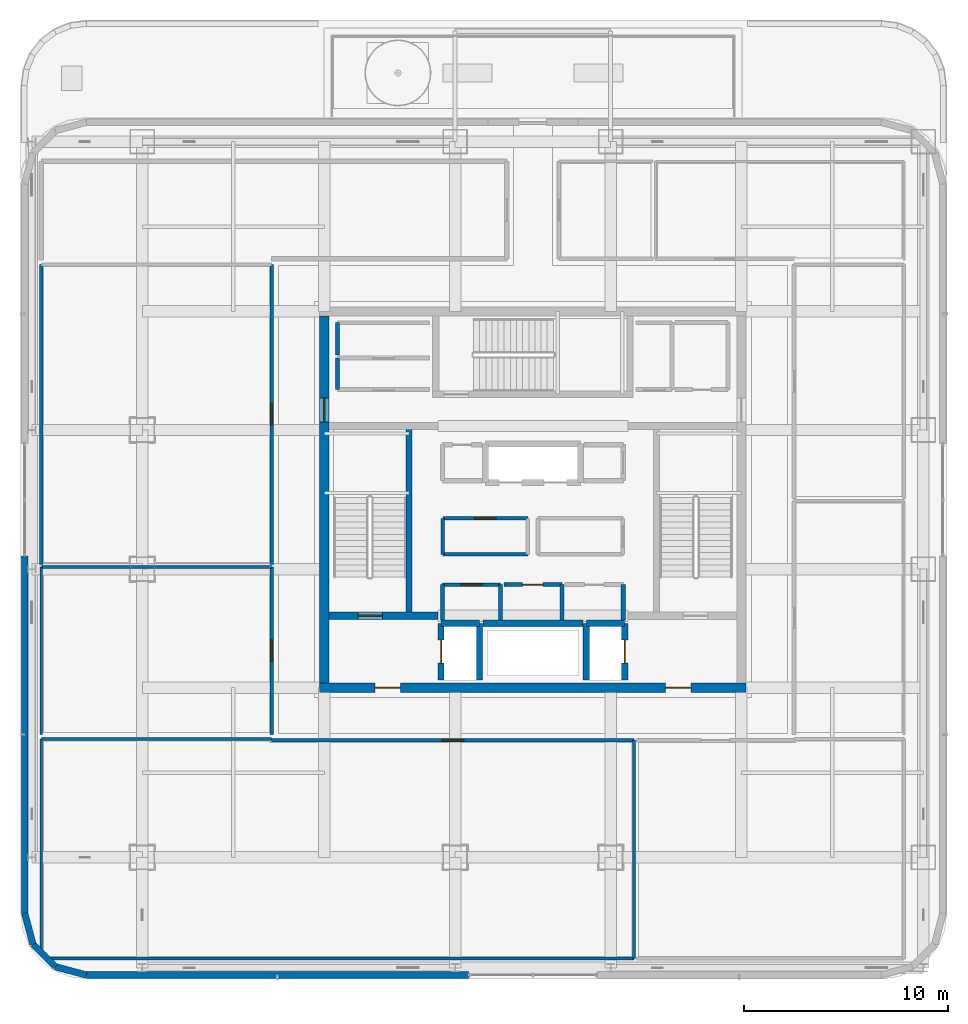
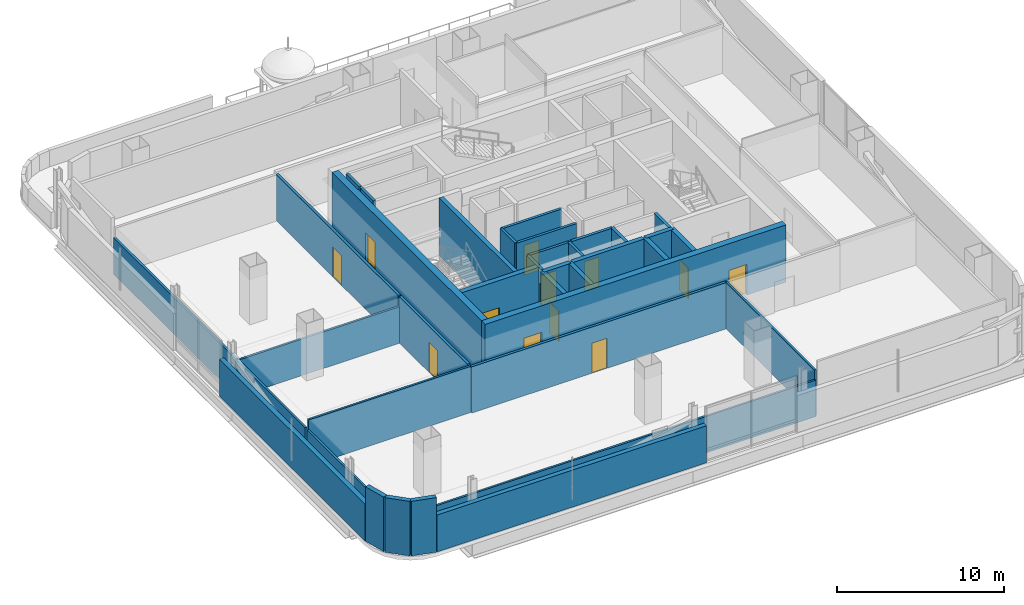
# One storey, part 12 of 28: 37 walls, 12 doors, 12 openings.
"""IFC4 building model written with IfcOpenShell, lengths in metres."""

from ifc_helpers import new_model, si_unit, direction, frame, frame_2d, origin, place, context, subcontext, project, spatial, rectangle, extrude, material, layer, layer_set, type_object, element, fill, save


model = new_model("IFC4")

# Units and contexts
model_context = context("Model", 3, precision=1e-05, world=origin(), true_north=direction((0.0, 1.0)))
body_context = subcontext(model_context, "Body", "Model", "MODEL_VIEW")
ifc_project = project(units=[si_unit("LENGTHUNIT", "METRE"), si_unit("AREAUNIT", "SQUARE_METRE"), si_unit("VOLUMEUNIT", "CUBIC_METRE"), si_unit("PLANEANGLEUNIT", "RADIAN"), si_unit("MASSUNIT", "GRAM", prefix="KILO")], contexts=[model_context])

# Site, building, storey
site_placement = place(None, origin())
site = spatial("IfcSite", under=ifc_project, at=site_placement, CompositionType="ELEMENT")
building_placement = place(site_placement, origin())
building = spatial("IfcBuilding", under=site, at=building_placement, Name="Punatoya Terracotta Tower", CompositionType="ELEMENT")
storey_placement = place(building_placement, frame((0.0, 0.0, 317.39990234375)))
storey = spatial("IfcBuildingStorey", under=building, at=storey_placement, Name="L75", CompositionType="ELEMENT", Elevation=317.39990234375)

# Wall, openings, doors
ifc_material_1 = material(Name="Concrete C50/60", Category="concrete")
ifc_layer_1 = layer(ifc_material_1, 0.449951171875)
ifc_layer_set_1 = layer_set([ifc_layer_1], Name="Concrete C50/60")
wall_type_1 = type_object("IfcWallType", Name="WL-COR-450", PredefinedType="SHEAR", material=ifc_layer_set_1)
wall_1_placement = place(storey_placement, frame((10.425048828125, -9.199951171875, 0.0), z_axis=(0.0, 0.0, 1.0), x_axis=(-1.0, 0.0, 0.0)))
wall_1 = element("IfcWall", 1, at=wall_1_placement, inside=storey, type_object=wall_type_1, Name="L75 Core Shear Wall S", PredefinedType="SHEAR", context=body_context, shape_type="SweptSolid", body=[
    extrude(rectangle(XDim=20.85009765625, YDim=0.449951171875, at=frame_2d((10.425048828125, 0.0))), origin(), (0.0, 0.0, 1.0), 4.2001953125),
])
opening_1_placement = place(wall_1_placement, frame((2.699951171875, 0.0, 0.0)))
opening_1 = element("IfcOpeningElement", 2, at=opening_1_placement, cuts=wall_1, Name="Opening FD-L1", PredefinedType="OPENING", context=body_context, shape_type="SweptSolid", body=[
    extrude(rectangle(XDim=1.25, YDim=2.25, at=frame_2d((0.625, 1.125))), frame((0.0, 0.23486328125, 0.0), z_axis=(0.0, -1.0, 0.0), x_axis=(1.0, 0.0, 0.0)), (0.0, 0.0, 1.0), 0.469970703125),
])
opening_2_placement = place(wall_1_placement, frame((16.89990234375, 0.0, 0.0)))
opening_2 = element("IfcOpeningElement", 3, at=opening_2_placement, cuts=wall_1, Name="Opening FD-L1", PredefinedType="OPENING", context=body_context, shape_type="SweptSolid", body=[
    extrude(rectangle(XDim=1.25, YDim=2.25, at=frame_2d((0.625, 1.125))), frame((0.0, 0.23486328125, 0.0), z_axis=(0.0, -1.0, 0.0), x_axis=(1.0, 0.0, 0.0)), (0.0, 0.0, 1.0), 0.469970703125),
])
ifc_material_2 = material(Name="Galvanised Steel Smokeproof Fire Door", Category="steel")
door_type_1 = type_object("IfcDoorType", Name="DR-FFL-1250", OperationType="NOTDEFINED", PredefinedType="DOOR", material=ifc_material_2)
door_1_placement = place(opening_1_placement, origin())
door_1 = element("IfcDoor", 4, at=door_1_placement, inside=storey, type_object=door_type_1, Name="L75 East Firefighting Lobby Corridor Fire Door", OperationType="SINGLE_SWING_LEFT", OverallHeight=2.25, OverallWidth=1.25, PredefinedType="DOOR", context=body_context, shape_type="SweptSolid", body=[
    extrude(rectangle(XDim=1.25, YDim=2.25, at=frame_2d((0.625, 1.125))), frame((0.0, 0.02490234375, 0.0), z_axis=(0.0, -1.0, 0.0), x_axis=(1.0, 0.0, 0.0)), (0.0, 0.0, 1.0), 0.050048828125),
])
fill(opening_1, door_1)
door_2_placement = place(opening_2_placement, origin())
door_2 = element("IfcDoor", 5, at=door_2_placement, inside=storey, type_object=door_type_1, Name="L75 West Firefighting Lobby Corridor Fire Door", OperationType="SINGLE_SWING_RIGHT", OverallHeight=2.25, OverallWidth=1.25, PredefinedType="DOOR", context=body_context, shape_type="SweptSolid", body=[
    extrude(rectangle(XDim=1.25, YDim=2.25, at=frame_2d((0.625, 1.125))), frame((0.0, 0.02490234375, 0.0), z_axis=(0.0, -1.0, 0.0), x_axis=(1.0, 0.0, 0.0)), (0.0, 0.0, 1.0), 0.050048828125),
])
fill(opening_2, door_2)

# Wall, opening, door
wall_2_placement = place(storey_placement, frame((-10.199951171875, -8.97509765625, 0.0), z_axis=(0.0, 0.0, 1.0), x_axis=(0.0, 1.0, 0.0)))
wall_2 = element("IfcWall", 6, at=wall_2_placement, inside=storey, type_object=wall_type_1, Name="L75 Core Shear Wall W", PredefinedType="SHEAR", context=body_context, shape_type="SweptSolid", body=[
    extrude(rectangle(XDim=17.9501953125, YDim=0.449951171875, at=frame_2d((8.97509765625, 0.0))), origin(), (0.0, 0.0, 1.0), 4.2001953125),
])
opening_3_placement = place(wall_2_placement, frame((12.764892578125, 0.0, 0.0)))
opening_3 = element("IfcOpeningElement", 7, at=opening_3_placement, cuts=wall_2, Name="Opening SD-01", PredefinedType="OPENING", context=body_context, shape_type="SweptSolid", body=[
    extrude(rectangle(XDim=1.179931640625, YDim=2.199951171875, at=frame_2d((0.58984375, 1.10009765625))), frame((0.0, 0.23486328125, 0.0), z_axis=(0.0, -1.0, 0.0), x_axis=(1.0, 0.0, 0.0)), (0.0, 0.0, 1.0), 0.469970703125),
])
ifc_material_3 = material(Name="Galvanised Steel Pressurized Stair Fire Door", Category="steel")
door_type_2 = type_object("IfcDoorType", Name="DR-STR-1180", OperationType="NOTDEFINED", PredefinedType="DOOR", material=ifc_material_3)
door_3_placement = place(opening_3_placement, origin())
door_3 = element("IfcDoor", 8, at=door_3_placement, inside=storey, type_object=door_type_2, Name="L75 Central Lift Lobby West Fire Door", OperationType="SINGLE_SWING_LEFT", OverallHeight=2.199951171875, OverallWidth=1.179931640625, PredefinedType="DOOR", context=body_context, shape_type="SweptSolid", body=[
    extrude(rectangle(XDim=1.179931640625, YDim=2.199951171875, at=frame_2d((0.58984375, 1.10009765625))), frame((0.0, 0.02490234375, 0.0), z_axis=(0.0, -1.0, 0.0), x_axis=(1.0, 0.0, 0.0)), (0.0, 0.0, 1.0), 0.050048828125),
])
fill(opening_3, door_3)

# Wall
ifc_material_4 = material(Name="Gypsum Fireboard + Steel Stud", Category="steel")
ifc_layer_2 = layer(ifc_material_4, 0.179931640625)
ifc_layer_set_2 = layer_set([ifc_layer_2], Name="Gypsum Fireboard + Steel Stud")
wall_type_2 = type_object("IfcWallType", Name="WL-CORR-180", PredefinedType="PARTITIONING", material=ifc_layer_set_2)
wall_3_placement = place(storey_placement, frame((-1.580078125, -5.89990234375, 0.0), z_axis=(0.0, 0.0, 1.0), x_axis=(0.0, 1.0, 0.0)))
element("IfcWall", 9, at=wall_3_placement, inside=storey, type_object=wall_type_2, Name="L75 Core Quiet Wellness Room Partition 01", PredefinedType="PARTITIONING", context=body_context, shape_type="SweptSolid", body=[
    extrude(rectangle(XDim=1.739990234375, YDim=0.179931640625, at=frame_2d((0.8701171875, 0.0))), origin(), (0.0, 0.0, 1.0), 4.0),
])

# Wall, opening, door
wall_4_placement = place(storey_placement, frame((-1.580078125, -4.159912109375, 0.0), z_axis=(0.0, 0.0, 1.0), x_axis=(-1.0, 0.0, 0.0)))
wall_4 = element("IfcWall", 10, at=wall_4_placement, inside=storey, type_object=wall_type_2, Name="L75 Core Quiet Wellness Room Partition 02", PredefinedType="PARTITIONING", context=body_context, shape_type="SweptSolid", body=[
    extrude(rectangle(XDim=2.83984375, YDim=0.179931640625, at=frame_2d((1.419921875, 0.0))), origin(), (0.0, 0.0, 1.0), 4.0),
])
opening_4_placement = place(wall_4_placement, frame((0.89501953125, 0.0, 0.0)))
opening_4 = element("IfcOpeningElement", 11, at=opening_4_placement, cuts=wall_4, Name="Opening OD-01", PredefinedType="OPENING", context=body_context, shape_type="SweptSolid", body=[
    extrude(rectangle(XDim=1.050048828125, YDim=2.199951171875, at=frame_2d((0.52490234375, 1.10009765625))), frame((0.0, 0.099853515625, 0.0), z_axis=(0.0, -1.0, 0.0), x_axis=(1.0, 0.0, 0.0)), (0.0, 0.0, 1.0), 0.199951171875),
])
ifc_material_5 = material(Name="Bengal Teak Solid-Core Leaf")
door_type_3 = type_object("IfcDoorType", Name="DR-OFF-1050", OperationType="NOTDEFINED", PredefinedType="DOOR", material=ifc_material_5)
door_4_placement = place(opening_4_placement, origin())
door_4 = element("IfcDoor", 12, at=door_4_placement, inside=storey, type_object=door_type_3, Name="L75 Quiet Wellness Room Door", OperationType="SINGLE_SWING_LEFT", OverallHeight=2.199951171875, OverallWidth=1.050048828125, PredefinedType="DOOR", context=body_context, shape_type="SweptSolid", body=[
    extrude(rectangle(XDim=1.050048828125, YDim=2.199951171875, at=frame_2d((0.52490234375, 1.10009765625))), frame((0.0, 0.02490234375, 0.0), z_axis=(0.0, -1.0, 0.0), x_axis=(1.0, 0.0, 0.0)), (0.0, 0.0, 1.0), 0.050048828125),
])
fill(opening_4, door_4)

# Wall
wall_5_placement = place(storey_placement, frame((-4.419921875, -4.159912109375, 0.0), z_axis=(0.0, 0.0, 1.0), x_axis=(0.0, -1.0, 0.0)))
element("IfcWall", 13, at=wall_5_placement, inside=storey, type_object=wall_type_2, Name="L75 Core Quiet Wellness Room Partition 03", PredefinedType="PARTITIONING", context=body_context, shape_type="SweptSolid", body=[
    extrude(rectangle(XDim=1.739990234375, YDim=0.179931640625, at=frame_2d((0.8701171875, 0.0))), origin(), (0.0, 0.0, 1.0), 4.0),
])

# Wall, opening, door
wall_6_placement = place(storey_placement, frame((-0.25, -0.919921875, 0.0), z_axis=(0.0, 0.0, 1.0), x_axis=(-1.0, 0.0, 0.0)))
wall_6 = element("IfcWall", 14, at=wall_6_placement, inside=storey, type_object=wall_type_2, Name="L75 West Core Focus Pod Partition 09", PredefinedType="PARTITIONING", context=body_context, shape_type="SweptSolid", body=[
    extrude(rectangle(XDim=4.14990234375, YDim=0.179931640625, at=frame_2d((2.074951171875, 0.0))), origin(), (0.0, 0.0, 1.0), 4.0),
])
opening_5_placement = place(wall_6_placement, frame((1.550048828125, 0.0, 0.0)))
opening_5 = element("IfcOpeningElement", 15, at=opening_5_placement, cuts=wall_6, Name="Opening OD-01", PredefinedType="OPENING", context=body_context, shape_type="SweptSolid", body=[
    extrude(rectangle(XDim=1.050048828125, YDim=2.199951171875, at=frame_2d((0.52490234375, 1.10009765625))), frame((0.0, 0.099853515625, 0.0), z_axis=(0.0, -1.0, 0.0), x_axis=(1.0, 0.0, 0.0)), (0.0, 0.0, 1.0), 0.199951171875),
])
door_5_placement = place(opening_5_placement, origin())
door_5 = element("IfcDoor", 16, at=door_5_placement, inside=storey, type_object=door_type_3, Name="L75 West Focus Pod Door", OperationType="SINGLE_SWING_RIGHT", OverallHeight=2.199951171875, OverallWidth=1.050048828125, PredefinedType="DOOR", context=body_context, shape_type="SweptSolid", body=[
    extrude(rectangle(XDim=1.050048828125, YDim=2.199951171875, at=frame_2d((0.52490234375, 1.10009765625))), frame((0.0, 0.02490234375, 0.0), z_axis=(0.0, -1.0, 0.0), x_axis=(1.0, 0.0, 0.0)), (0.0, 0.0, 1.0), 0.050048828125),
])
fill(opening_5, door_5)

# Walls
wall_7_placement = place(storey_placement, frame((-4.39990234375, -0.919921875, 0.0), z_axis=(0.0, 0.0, 1.0), x_axis=(0.0, -1.0, 0.0)))
element("IfcWall", 17, at=wall_7_placement, inside=storey, type_object=wall_type_2, Name="L75 West Core Focus Pod Partition 10", PredefinedType="PARTITIONING", context=body_context, shape_type="SweptSolid", body=[
    extrude(rectangle(XDim=1.760009765625, YDim=0.179931640625, at=frame_2d((0.8798828125, 0.0))), origin(), (0.0, 0.0, 1.0), 4.0),
])
wall_8_placement = place(storey_placement, frame((-4.39990234375, -2.679931640625, 0.0), z_axis=(0.0, 0.0, 1.0), x_axis=(1.0, 0.0, 0.0)))
element("IfcWall", 18, at=wall_8_placement, inside=storey, type_object=wall_type_2, Name="L75 West Core Focus Pod Partition 11", PredefinedType="PARTITIONING", context=body_context, shape_type="SweptSolid", body=[
    extrude(rectangle(XDim=4.14990234375, YDim=0.179931640625, at=frame_2d((2.074951171875, 0.0))), origin(), (0.0, 0.0, 1.0), 4.0),
])
wall_9_placement = place(storey_placement, frame((-9.550048828125, 8.64990234375, 0.0), z_axis=(0.0, 0.0, 1.0), x_axis=(0.0, -1.0, 0.0)))
element("IfcWall", 19, at=wall_9_placement, inside=storey, type_object=wall_type_2, Name="L75 West Core Copy Room Partition 26", PredefinedType="PARTITIONING", context=body_context, shape_type="SweptSolid", body=[
    extrude(rectangle(XDim=1.56982421875, YDim=0.179931640625, at=frame_2d((0.784912109375, 0.0))), origin(), (0.0, 0.0, 1.0), 4.0),
])

# Wall, opening, door
wall_10_placement = place(storey_placement, frame((-12.77001953125, -11.77001953125, 0.0), z_axis=(0.0, 0.0, 1.0), x_axis=(1.0, 0.0, 0.0)))
wall_10 = element("IfcWall", 20, at=wall_10_placement, inside=storey, type_object=wall_type_2, Name="L75 Client Media Salon Partition 33", PredefinedType="PARTITIONING", context=body_context, shape_type="SweptSolid", body=[
    extrude(rectangle(XDim=17.718017578125, YDim=0.179931640625, at=frame_2d((8.85888671875, 0.0))), origin(), (0.0, 0.0, 1.0), 3.39404296875),
])
opening_6_placement = place(wall_10_placement, frame((8.333984375, 0.0, 0.0)))
opening_6 = element("IfcOpeningElement", 21, at=opening_6_placement, cuts=wall_10, Name="Opening OD-01", PredefinedType="OPENING", context=body_context, shape_type="SweptSolid", body=[
    extrude(rectangle(XDim=1.050048828125, YDim=2.199951171875, at=frame_2d((0.52490234375, 1.10009765625))), frame((0.0, 0.099853515625, 0.0), z_axis=(0.0, -1.0, 0.0), x_axis=(1.0, 0.0, 0.0)), (0.0, 0.0, 1.0), 0.199951171875),
])
door_6_placement = place(opening_6_placement, origin())
door_6 = element("IfcDoor", 22, at=door_6_placement, inside=storey, type_object=door_type_3, Name="L75 Client Media Salon Door", OperationType="SINGLE_SWING_RIGHT", OverallHeight=2.199951171875, OverallWidth=1.050048828125, PredefinedType="DOOR", context=body_context, shape_type="SweptSolid", body=[
    extrude(rectangle(XDim=1.050048828125, YDim=2.199951171875, at=frame_2d((0.52490234375, 1.10009765625))), frame((0.0, 0.02490234375, 0.0), z_axis=(0.0, -1.0, 0.0), x_axis=(1.0, 0.0, 0.0)), (0.0, 0.0, 1.0), 0.050048828125),
])
fill(opening_6, door_6)

wall_11_placement = place(storey_placement, frame((-12.77001953125, -3.2939453125, 0.0), z_axis=(0.0, 0.0, 1.0), x_axis=(0.0, -1.0, 0.0)))
wall_11 = element("IfcWall", 23, at=wall_11_placement, inside=storey, type_object=wall_type_2, Name="L75 Open-Plan Graphic Design Workplace Partition 43", PredefinedType="PARTITIONING", context=body_context, shape_type="SweptSolid", body=[
    extrude(rectangle(XDim=8.196044921875, YDim=0.179931640625, at=frame_2d((4.09814453125, 0.0))), origin(), (0.0, 0.0, 1.0), 3.39404296875),
])
opening_7_placement = place(wall_11_placement, frame((3.572998046875, 0.0, 0.0)))
opening_7 = element("IfcOpeningElement", 24, at=opening_7_placement, cuts=wall_11, Name="Opening OD-01", PredefinedType="OPENING", context=body_context, shape_type="SweptSolid", body=[
    extrude(rectangle(XDim=1.050048828125, YDim=2.199951171875, at=frame_2d((0.52490234375, 1.10009765625))), frame((0.0, 0.099853515625, 0.0), z_axis=(0.0, -1.0, 0.0), x_axis=(1.0, 0.0, 0.0)), (0.0, 0.0, 1.0), 0.199951171875),
])
door_7_placement = place(opening_7_placement, origin())
door_7 = element("IfcDoor", 25, at=door_7_placement, inside=storey, type_object=door_type_3, Name="L75 Open-Plan Graphic Design Workplace Door", OperationType="SINGLE_SWING_RIGHT", OverallHeight=2.199951171875, OverallWidth=1.050048828125, PredefinedType="DOOR", context=body_context, shape_type="SweptSolid", body=[
    extrude(rectangle(XDim=1.050048828125, YDim=2.199951171875, at=frame_2d((0.52490234375, 1.10009765625))), frame((0.0, 0.02490234375, 0.0), z_axis=(0.0, -1.0, 0.0), x_axis=(1.0, 0.0, 0.0)), (0.0, 0.0, 1.0), 0.050048828125),
])
fill(opening_7, door_7)

wall_12_placement = place(storey_placement, frame((-12.77001953125, 11.489990234375, 0.0), z_axis=(0.0, 0.0, 1.0), x_axis=(0.0, -1.0, 0.0)))
wall_12 = element("IfcWall", 26, at=wall_12_placement, inside=storey, type_object=wall_type_2, Name="L75 Hospitality Tea Pantry Partition 49", PredefinedType="PARTITIONING", context=body_context, shape_type="SweptSolid", body=[
    extrude(rectangle(XDim=14.6640625, YDim=0.179931640625, at=frame_2d((7.33203125, 0.0))), origin(), (0.0, 0.0, 1.0), 3.39404296875),
])
opening_8_placement = place(wall_12_placement, frame((6.806884765625, 0.0, 0.0)))
opening_8 = element("IfcOpeningElement", 27, at=opening_8_placement, cuts=wall_12, Name="Opening OD-01", PredefinedType="OPENING", context=body_context, shape_type="SweptSolid", body=[
    extrude(rectangle(XDim=1.050048828125, YDim=2.199951171875, at=frame_2d((0.52490234375, 1.10009765625))), frame((0.0, 0.099853515625, 0.0), z_axis=(0.0, -1.0, 0.0), x_axis=(1.0, 0.0, 0.0)), (0.0, 0.0, 1.0), 0.199951171875),
])
door_8_placement = place(opening_8_placement, origin())
door_8 = element("IfcDoor", 28, at=door_8_placement, inside=storey, type_object=door_type_3, Name="L75 Hospitality Tea Pantry Door", OperationType="SINGLE_SWING_RIGHT", OverallHeight=2.199951171875, OverallWidth=1.050048828125, PredefinedType="DOOR", context=body_context, shape_type="SweptSolid", body=[
    extrude(rectangle(XDim=1.050048828125, YDim=2.199951171875, at=frame_2d((0.52490234375, 1.10009765625))), frame((0.0, 0.02490234375, 0.0), z_axis=(0.0, -1.0, 0.0), x_axis=(1.0, 0.0, 0.0)), (0.0, 0.0, 1.0), 0.050048828125),
])
fill(opening_8, door_8)

# Walls
ifc_material_6 = material(Name="Precast concrete C40/50", Category="concrete")
ifc_layer_3 = layer(ifc_material_6, 0.320068359375)
ifc_layer_set_3 = layer_set([ifc_layer_3], Name="Precast concrete C40/50")
wall_type_3 = type_object("IfcWallType", Name="WL-EXT-320", PredefinedType="SOLIDWALL", material=ifc_layer_set_3)
wall_13_placement = place(storey_placement, frame((-21.8369140625, -23.25, 0.0), z_axis=(0.0, 0.0, 1.0), x_axis=(1.0, 0.0, 0.0)))
element("IfcWall", 29, at=wall_13_placement, inside=storey, type_object=wall_type_3, Name="L75 Terracotta Braced Facade Wall S1", PredefinedType="SOLIDWALL", context=body_context, shape_type="SweptSolid", body=[
    extrude(rectangle(XDim=18.68701171875, YDim=0.320068359375, at=frame_2d((9.343505859375, 0.0))), origin(), (0.0, 0.0, 1.0), 2.714111328125),
])
wall_14_placement = place(storey_placement, frame((-24.85009765625, -2.75, 0.0), z_axis=(0.0, 0.0, 1.0), x_axis=(0.0, -1.0, 0.0)))
element("IfcWall", 30, at=wall_14_placement, inside=storey, type_object=wall_type_3, Name="L75 Terracotta Braced Facade Wall W2", PredefinedType="SOLIDWALL", context=body_context, shape_type="SweptSolid", body=[
    extrude(rectangle(XDim=17.48681640625, YDim=0.320068359375, at=frame_2d((8.743408203125, 0.0))), origin(), (0.0, 0.0, 1.0), 2.714111328125),
])
wall_15_placement = place(storey_placement, frame((-24.85009765625, -20.23681640625, 0.0), z_axis=(0.0, 0.0, 1.0), x_axis=(0.257847112249, -0.966185730957, 0.0)))
element("IfcWall", 31, at=wall_15_placement, inside=storey, type_object=wall_type_3, Name="L75 Rounded Terracotta Corner Pier 14", PredefinedType="SOLIDWALL", context=body_context, shape_type="SweptSolid", body=[
    extrude(rectangle(XDim=1.565185546875, YDim=0.320068359375, at=frame_2d((0.78271484375, 0.0))), origin(), (0.0, 0.0, 1.0), 4.0),
])
wall_16_placement = place(storey_placement, frame((-24.446533203125, -21.7490234375, 0.0), z_axis=(0.0, 0.0, 1.0), x_axis=(0.707028130747, -0.707185422879, 0.0)))
element("IfcWall", 32, at=wall_16_placement, inside=storey, type_object=wall_type_3, Name="L75 Rounded Terracotta Corner Pier 15", PredefinedType="SOLIDWALL", context=body_context, shape_type="SweptSolid", body=[
    extrude(rectangle(XDim=1.55224609375, YDim=0.320068359375, at=frame_2d((0.776123046875, 0.0))), origin(), (0.0, 0.0, 1.0), 4.0),
])
wall_17_placement = place(storey_placement, frame((-23.34912109375, -22.8466796875, 0.0), z_axis=(0.0, 0.0, 1.0), x_axis=(0.966224582397, -0.257701486942, 0.0)))
element("IfcWall", 33, at=wall_17_placement, inside=storey, type_object=wall_type_3, Name="L75 Rounded Terracotta Corner Pier 16", PredefinedType="SOLIDWALL", context=body_context, shape_type="SweptSolid", body=[
    extrude(rectangle(XDim=1.565185546875, YDim=0.320068359375, at=frame_2d((0.78271484375, 0.0))), origin(), (0.0, 0.0, 1.0), 4.0),
])
ifc_material_7 = material(Name="Concrete C40/50", Category="concrete")
ifc_layer_4 = layer(ifc_material_7, 0.199951171875)
ifc_layer_set_4 = layer_set([ifc_layer_4], Name="Concrete C40/50")
wall_type_4 = type_object("IfcWallType", Name="WL-INT-200", PredefinedType="SOLIDWALL", material=ifc_layer_set_4)
wall_18_placement = place(storey_placement, frame((1.419921875, -5.89990234375, 0.0), z_axis=(0.0, 0.0, 1.0), x_axis=(0.0, 1.0, 0.0)))
element("IfcWall", 34, at=wall_18_placement, inside=storey, type_object=wall_type_4, Name="L75 Accessible Universal Washroom Partition 04", PredefinedType="SOLIDWALL", context=body_context, shape_type="SweptSolid", body=[
    extrude(rectangle(XDim=1.739990234375, YDim=0.199951171875, at=frame_2d((0.8701171875, 0.0))), origin(), (0.0, 0.0, 1.0), 4.0),
])

# Wall, opening, door
wall_19_placement = place(storey_placement, frame((1.419921875, -4.159912109375, 0.0), z_axis=(0.0, 0.0, 1.0), x_axis=(-1.0, 0.0, 0.0)))
wall_19 = element("IfcWall", 35, at=wall_19_placement, inside=storey, type_object=wall_type_4, Name="L75 Accessible Universal Washroom Partition 05", PredefinedType="SOLIDWALL", context=body_context, shape_type="SweptSolid", body=[
    extrude(rectangle(XDim=2.83984375, YDim=0.199951171875, at=frame_2d((1.419921875, 0.0))), origin(), (0.0, 0.0, 1.0), 4.0),
])
opening_9_placement = place(wall_19_placement, frame((0.919921875, 0.0, 0.0)))
opening_9 = element("IfcOpeningElement", 36, at=opening_9_placement, cuts=wall_19, Name="Opening AWD-1", PredefinedType="OPENING", context=body_context, shape_type="SweptSolid", body=[
    extrude(rectangle(XDim=1.0, YDim=2.14990234375, at=frame_2d((0.5, 1.074951171875))), frame((0.0, 0.10986328125, 0.0), z_axis=(0.0, -1.0, 0.0), x_axis=(1.0, 0.0, 0.0)), (0.0, 0.0, 1.0), 0.219970703125),
])
ifc_material_8 = material(Name="Bengal Teak Accessible WC Leaf")
door_type_4 = type_object("IfcDoorType", Name="DR-ACC-1000", OperationType="NOTDEFINED", PredefinedType="DOOR", material=ifc_material_8)
door_9_placement = place(opening_9_placement, origin())
door_9 = element("IfcDoor", 37, at=door_9_placement, inside=storey, type_object=door_type_4, Name="L75 Accessible Universal Washroom Door", OperationType="SINGLE_SWING_RIGHT", OverallHeight=2.14990234375, OverallWidth=1.0, PredefinedType="DOOR", context=body_context, shape_type="SweptSolid", body=[
    extrude(rectangle(XDim=1.0, YDim=2.14990234375, at=frame_2d((0.5, 1.074951171875))), frame((0.0, 0.02490234375, 0.0), z_axis=(0.0, -1.0, 0.0), x_axis=(1.0, 0.0, 0.0)), (0.0, 0.0, 1.0), 0.050048828125),
])
fill(opening_9, door_9)

# Walls
wall_20_placement = place(storey_placement, frame((4.419921875, -5.89990234375, 0.0), z_axis=(0.0, 0.0, 1.0), x_axis=(0.0, 1.0, 0.0)))
element("IfcWall", 38, at=wall_20_placement, inside=storey, type_object=wall_type_4, Name="L75 All-Gender Washroom Partition 06", PredefinedType="SOLIDWALL", context=body_context, shape_type="SweptSolid", body=[
    extrude(rectangle(XDim=1.739990234375, YDim=0.199951171875, at=frame_2d((0.8701171875, 0.0))), origin(), (0.0, 0.0, 1.0), 4.0),
])
wall_21_placement = place(storey_placement, frame((-9.550048828125, 6.919921875, 0.0), z_axis=(0.0, 0.0, 1.0), x_axis=(0.0, -1.0, 0.0)))
element("IfcWall", 39, at=wall_21_placement, inside=storey, type_object=wall_type_4, Name="L75 West Core Tea Pantry Partition 23", PredefinedType="SOLIDWALL", context=body_context, shape_type="SweptSolid", body=[
    extrude(rectangle(XDim=1.5400390625, YDim=0.199951171875, at=frame_2d((0.77001953125, 0.0))), origin(), (0.0, 0.0, 1.0), 4.0),
])
ifc_material_9 = material(Name="Acoustic Gypsum + Steel Stud", Category="steel")
ifc_layer_5 = layer(ifc_material_9, 0.139892578125)
ifc_layer_set_5 = layer_set([ifc_layer_5], Name="Acoustic Gypsum + Steel Stud")
wall_type_5 = type_object("IfcWallType", Name="WL-OFF-140", PredefinedType="PARTITIONING", material=ifc_layer_set_5)
wall_22_placement = place(storey_placement, frame((4.947998046875, -11.77001953125, 0.0), z_axis=(0.0, 0.0, 1.0), x_axis=(0.0, -1.0, 0.0)))
element("IfcWall", 40, at=wall_22_placement, inside=storey, type_object=wall_type_5, Name="L75 Client Media Salon Partition 34", PredefinedType="PARTITIONING", context=body_context, shape_type="SweptSolid", body=[
    extrude(rectangle(XDim=10.669921875, YDim=0.139892578125, at=frame_2d((5.3349609375, 0.0))), origin(), (0.0, 0.0, 1.0), 3.39404296875),
])
wall_23_placement = place(storey_placement, frame((4.947998046875, -22.43994140625, 0.0), z_axis=(0.0, 0.0, 1.0), x_axis=(-1.0, 0.0, 0.0)))
element("IfcWall", 41, at=wall_23_placement, inside=storey, type_object=wall_type_5, Name="L75 Client Media Salon Partition 35", PredefinedType="PARTITIONING", context=body_context, shape_type="SweptSolid", body=[
    extrude(rectangle(XDim=28.695556640625, YDim=0.139892578125, at=frame_2d((14.34765625, 0.0))), origin(), (0.0, 0.0, 1.0), 2.674072265625),
])
wall_24_placement = place(storey_placement, frame((-24.0400390625, -22.1474609375, 0.0), z_axis=(0.0, 0.0, 1.0), x_axis=(0.0, 1.0, 0.0)))
element("IfcWall", 42, at=wall_24_placement, inside=storey, type_object=wall_type_5, Name="L75 Client Media Salon Partition 36", PredefinedType="PARTITIONING", context=body_context, shape_type="SweptSolid", body=[
    extrude(rectangle(XDim=10.4375, YDim=0.139892578125, at=frame_2d((5.21875, 0.0))), origin(), (0.0, 0.0, 1.0), 2.674072265625),
])
wall_25_placement = place(storey_placement, frame((-24.0400390625, -11.7099609375, 0.0), z_axis=(0.0, 0.0, 1.0), x_axis=(1.0, 0.0, 0.0)))
element("IfcWall", 43, at=wall_25_placement, inside=storey, type_object=wall_type_5, Name="L75 Client Media Salon Partition 37", PredefinedType="PARTITIONING", context=body_context, shape_type="SweptSolid", body=[
    extrude(rectangle(XDim=11.27001953125, YDim=0.139892578125, at=frame_2d((5.635009765625, 0.0))), origin(), (0.0, 0.0, 1.0), 3.39404296875),
])
wall_26_placement = place(storey_placement, frame((-24.0400390625, -3.2939453125, 0.0), z_axis=(0.0, 0.0, 1.0), x_axis=(1.0, 0.0, 0.0)))
element("IfcWall", 44, at=wall_26_placement, inside=storey, type_object=wall_type_5, Name="L75 Open-Plan Graphic Design Workplace Partition 42", PredefinedType="PARTITIONING", context=body_context, shape_type="SweptSolid", body=[
    extrude(rectangle(XDim=11.27001953125, YDim=0.139892578125, at=frame_2d((5.635009765625, 0.0))), origin(), (0.0, 0.0, 1.0), 2.674072265625),
])
wall_27_placement = place(storey_placement, frame((-24.0400390625, -11.489990234375, 0.0), z_axis=(0.0, 0.0, 1.0), x_axis=(0.0, 1.0, 0.0)))
element("IfcWall", 45, at=wall_27_placement, inside=storey, type_object=wall_type_5, Name="L75 Open-Plan Graphic Design Workplace Partition 44", PredefinedType="PARTITIONING", context=body_context, shape_type="SweptSolid", body=[
    extrude(rectangle(XDim=8.196044921875, YDim=0.139892578125, at=frame_2d((4.09814453125, 0.0))), origin(), (0.0, 0.0, 1.0), 2.674072265625),
])
ifc_layer_6 = layer(ifc_material_7, 0.300048828125)
ifc_layer_set_6 = layer_set([ifc_layer_6], Name="Concrete C40/50")
wall_type_6 = type_object("IfcWallType", Name="WL-SHF-300", PredefinedType="SOLIDWALL", material=ifc_layer_set_6)
wall_28_placement = place(storey_placement, frame((-6.050048828125, -5.5, 0.0), z_axis=(0.0, 0.0, 1.0), x_axis=(0.0, 1.0, 0.0)))
element("IfcWall", 46, at=wall_28_placement, inside=storey, type_object=wall_type_6, Name="L75 Structural Stair Shaft Wall SW-ST1-E", PredefinedType="SOLIDWALL", context=body_context, shape_type="SweptSolid", body=[
    extrude(rectangle(XDim=8.949951171875, YDim=0.300048828125, at=frame_2d((4.47509765625, 0.0))), origin(), (0.0, 0.0, 1.0), 4.2001953125),
])

# Wall, opening, door
wall_29_placement = place(storey_placement, frame((-4.489990234375, -8.820068359375, 0.0), z_axis=(0.0, 0.0, 1.0), x_axis=(0.0, 1.0, 0.0)))
wall_29 = element("IfcWall", 47, at=wall_29_placement, inside=storey, type_object=wall_type_6, Name="L75 FFL-1 Front Hoistway Wall", PredefinedType="SOLIDWALL", context=body_context, shape_type="SweptSolid", body=[
    extrude(rectangle(XDim=2.77001953125, YDim=0.300048828125, at=frame_2d((1.385009765625, 0.0))), origin(), (0.0, 0.0, 1.0), 4.0),
])
opening_10_placement = place(wall_29_placement, frame((0.824951171875, 0.0, 0.0)))
opening_10 = element("IfcOpeningElement", 48, at=opening_10_placement, cuts=wall_29, Name="Opening LD-02", PredefinedType="OPENING", context=body_context, shape_type="SweptSolid", body=[
    extrude(rectangle(XDim=1.1201171875, YDim=2.25, at=frame_2d((0.56005859375, 1.125))), frame((0.0, 0.159912109375, 0.0), z_axis=(0.0, -1.0, 0.0), x_axis=(1.0, 0.0, 0.0)), (0.0, 0.0, 1.0), 0.320068359375),
])
ifc_material_10 = material(Name="Stainless Steel Lift Landing Door", Category="steel")
door_type_5 = type_object("IfcDoorType", Name="DR-LND-1120", OperationType="NOTDEFINED", PredefinedType="DOOR", material=ifc_material_10)
door_10_placement = place(opening_10_placement, origin())
door_10 = element("IfcDoor", 49, at=door_10_placement, inside=storey, type_object=door_type_5, Name="L75 Firefighting Lift FFL-1 Sliding Landing Door", OperationType="SLIDING_TO_LEFT", OverallHeight=2.25, OverallWidth=1.1201171875, PredefinedType="DOOR", context=body_context, shape_type="SweptSolid", body=[
    extrude(rectangle(XDim=1.1201171875, YDim=2.25, at=frame_2d((0.56005859375, 1.125))), frame((0.0, 0.02490234375, 0.0), z_axis=(0.0, -1.0, 0.0), x_axis=(1.0, 0.0, 0.0)), (0.0, 0.0, 1.0), 0.050048828125),
])
fill(opening_10, door_10)

# Walls
wall_30_placement = place(storey_placement, frame((-2.610107421875, -8.820068359375, 0.0), z_axis=(0.0, 0.0, 1.0), x_axis=(0.0, 1.0, 0.0)))
element("IfcWall", 50, at=wall_30_placement, inside=storey, type_object=wall_type_6, Name="L75 FFL-1 Rear Hoistway Wall", PredefinedType="SOLIDWALL", context=body_context, shape_type="SweptSolid", body=[
    extrude(rectangle(XDim=2.77001953125, YDim=0.300048828125, at=frame_2d((1.385009765625, 0.0))), origin(), (0.0, 0.0, 1.0), 4.0),
])
wall_31_placement = place(storey_placement, frame((-4.489990234375, -6.050048828125, 0.0), z_axis=(0.0, 0.0, 1.0), x_axis=(1.0, 0.0, 0.0)))
element("IfcWall", 51, at=wall_31_placement, inside=storey, type_object=wall_type_6, Name="L75 FFL-1 North Hoistway Wall", PredefinedType="SOLIDWALL", context=body_context, shape_type="SweptSolid", body=[
    extrude(rectangle(XDim=1.8798828125, YDim=0.300048828125, at=frame_2d((0.93994140625, 0.0))), origin(), (0.0, 0.0, 1.0), 4.0),
])

# Wall, opening, door
wall_32_placement = place(storey_placement, frame((4.489990234375, -8.820068359375, 0.0), z_axis=(0.0, 0.0, 1.0), x_axis=(0.0, 1.0, 0.0)))
wall_32 = element("IfcWall", 52, at=wall_32_placement, inside=storey, type_object=wall_type_6, Name="L75 FFL-2 Front Hoistway Wall", PredefinedType="SOLIDWALL", context=body_context, shape_type="SweptSolid", body=[
    extrude(rectangle(XDim=2.77001953125, YDim=0.300048828125, at=frame_2d((1.385009765625, 0.0))), origin(), (0.0, 0.0, 1.0), 4.0),
])
opening_11_placement = place(wall_32_placement, frame((0.824951171875, 0.0, 0.0)))
opening_11 = element("IfcOpeningElement", 53, at=opening_11_placement, cuts=wall_32, Name="Opening LD-02", PredefinedType="OPENING", context=body_context, shape_type="SweptSolid", body=[
    extrude(rectangle(XDim=1.1201171875, YDim=2.25, at=frame_2d((0.56005859375, 1.125))), frame((0.0, 0.159912109375, 0.0), z_axis=(0.0, -1.0, 0.0), x_axis=(1.0, 0.0, 0.0)), (0.0, 0.0, 1.0), 0.320068359375),
])
door_11_placement = place(opening_11_placement, origin())
door_11 = element("IfcDoor", 54, at=door_11_placement, inside=storey, type_object=door_type_5, Name="L75 Firefighting Lift FFL-2 Sliding Landing Door", OperationType="SLIDING_TO_RIGHT", OverallHeight=2.25, OverallWidth=1.1201171875, PredefinedType="DOOR", context=body_context, shape_type="SweptSolid", body=[
    extrude(rectangle(XDim=1.1201171875, YDim=2.25, at=frame_2d((0.56005859375, 1.125))), frame((0.0, 0.02490234375, 0.0), z_axis=(0.0, -1.0, 0.0), x_axis=(1.0, 0.0, 0.0)), (0.0, 0.0, 1.0), 0.050048828125),
])
fill(opening_11, door_11)

# Walls
wall_33_placement = place(storey_placement, frame((2.610107421875, -8.820068359375, 0.0), z_axis=(0.0, 0.0, 1.0), x_axis=(0.0, 1.0, 0.0)))
element("IfcWall", 55, at=wall_33_placement, inside=storey, type_object=wall_type_6, Name="L75 FFL-2 Rear Hoistway Wall", PredefinedType="SOLIDWALL", context=body_context, shape_type="SweptSolid", body=[
    extrude(rectangle(XDim=2.77001953125, YDim=0.300048828125, at=frame_2d((1.385009765625, 0.0))), origin(), (0.0, 0.0, 1.0), 4.0),
])
wall_34_placement = place(storey_placement, frame((2.610107421875, -6.050048828125, 0.0), z_axis=(0.0, 0.0, 1.0), x_axis=(1.0, 0.0, 0.0)))
element("IfcWall", 56, at=wall_34_placement, inside=storey, type_object=wall_type_6, Name="L75 FFL-2 North Hoistway Wall", PredefinedType="SOLIDWALL", context=body_context, shape_type="SweptSolid", body=[
    extrude(rectangle(XDim=1.8798828125, YDim=0.300048828125, at=frame_2d((0.93994140625, 0.0))), origin(), (0.0, 0.0, 1.0), 4.0),
])
wall_35_placement = place(storey_placement, frame((-2.449951171875, -6.050048828125, 0.0), z_axis=(0.0, 0.0, 1.0), x_axis=(1.0, 0.0, 0.0)))
element("IfcWall", 57, at=wall_35_placement, inside=storey, type_object=wall_type_6, Name="L75 Observation Shuttle Rear Hoistway Wall", PredefinedType="SOLIDWALL", context=body_context, shape_type="SweptSolid", body=[
    extrude(rectangle(XDim=4.89990234375, YDim=0.300048828125, at=frame_2d((2.449951171875, 0.0))), origin(), (0.0, 0.0, 1.0), 4.0),
])

# Wall, opening, door
ifc_layer_7 = layer(ifc_material_1, 0.35009765625)
ifc_layer_set_7 = layer_set([ifc_layer_7], Name="Concrete C50/60")
wall_type_7 = type_object("IfcWallType", Name="WL-SHF-350", PredefinedType="SOLIDWALL", material=ifc_layer_set_7)
wall_36_placement = place(storey_placement, frame((-9.97509765625, -5.679931640625, 0.0), z_axis=(0.0, 0.0, 1.0), x_axis=(1.0, 0.0, 0.0)))
wall_36 = element("IfcWall", 58, at=wall_36_placement, inside=storey, type_object=wall_type_7, Name="L75 Core Web Wall CSW-L", PredefinedType="SOLIDWALL", context=body_context, shape_type="SweptSolid", body=[
    extrude(rectangle(XDim=5.3251953125, YDim=0.35009765625, at=frame_2d((2.66259765625, 0.0))), origin(), (0.0, 0.0, 1.0), 4.2001953125),
])
opening_12_placement = place(wall_36_placement, frame((1.43505859375, 0.0, 0.0)))
opening_12 = element("IfcOpeningElement", 59, at=opening_12_placement, cuts=wall_36, Name="Opening SD-01", PredefinedType="OPENING", context=body_context, shape_type="SweptSolid", body=[
    extrude(rectangle(XDim=1.179931640625, YDim=2.199951171875, at=frame_2d((0.58984375, 1.10009765625))), frame((0.0, 0.18505859375, 0.0), z_axis=(0.0, -1.0, 0.0), x_axis=(1.0, 0.0, 0.0)), (0.0, 0.0, 1.0), 0.3701171875),
])
door_12_placement = place(opening_12_placement, origin())
door_12 = element("IfcDoor", 60, at=door_12_placement, inside=storey, type_object=door_type_2, Name="L75 Stair ST-1 Smokeproof Lobby Fire Door", OperationType="SINGLE_SWING_LEFT", OverallHeight=2.199951171875, OverallWidth=1.179931640625, PredefinedType="DOOR", context=body_context, shape_type="SweptSolid", body=[
    extrude(rectangle(XDim=1.179931640625, YDim=2.199951171875, at=frame_2d((0.58984375, 1.10009765625))), frame((0.0, 0.02490234375, 0.0), z_axis=(0.0, -1.0, 0.0), x_axis=(1.0, 0.0, 0.0)), (0.0, 0.0, 1.0), 0.050048828125),
])
fill(opening_12, door_12)

# Wall
ifc_material_11 = material(Name="Masonry Blockwork + Ceramic Tile", Category="masonry")
ifc_layer_8 = layer(ifc_material_11, 0.159912109375)
ifc_layer_set_8 = layer_set([ifc_layer_8], Name="Masonry Blockwork + Ceramic Tile")
wall_type_8 = type_object("IfcWallType", Name="WL-WET-160", PredefinedType="PARTITIONING", material=ifc_layer_set_8)
wall_37_placement = place(storey_placement, frame((-24.0400390625, -3.174072265625, 0.0), z_axis=(0.0, 0.0, 1.0), x_axis=(0.0, 1.0, 0.0)))
element("IfcWall", 61, at=wall_37_placement, inside=storey, type_object=wall_type_8, Name="L75 Hospitality Tea Pantry Partition 50", PredefinedType="PARTITIONING", context=body_context, shape_type="SweptSolid", body=[
    extrude(rectangle(XDim=14.6640625, YDim=0.159912109375, at=frame_2d((7.33203125, 0.0))), origin(), (0.0, 0.0, 1.0), 2.674072265625),
])

save(model, "model.ifc")
